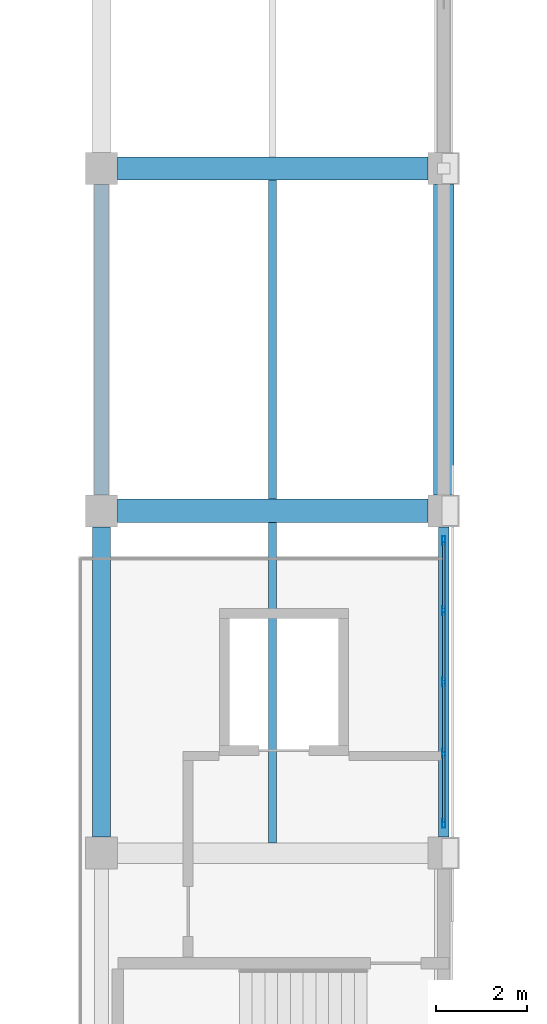
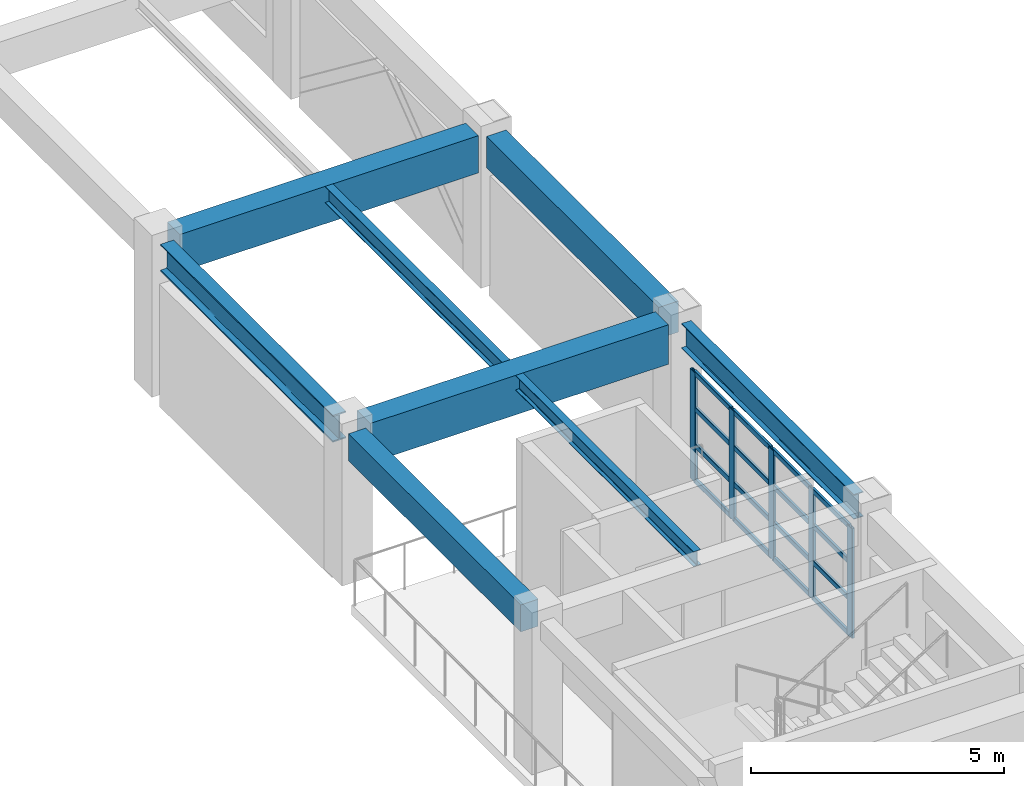
# One storey, part 35 of 82: 21 members, 8 beams, 1 element without a shape of its own.
"""IFC4 building model written with IfcOpenShell, lengths in metres."""

from ifc_helpers import new_model, si_unit, direction, frame, origin, origin_2d, place, context, subcontext, project, spatial, rectangle, hollow_rectangle, i_section, extrude, material, material_profile, profile_set, type_object, element, aggregate, save


model = new_model("IFC4")

# Units and contexts
model_context = context("Model", 3, precision=1e-05, world=origin(), true_north=direction((0.0, 1.0)))
body_context = subcontext(model_context, "Body", "Model", "MODEL_VIEW")
ifc_project = project(units=[si_unit("LENGTHUNIT", "METRE"), si_unit("AREAUNIT", "SQUARE_METRE"), si_unit("VOLUMEUNIT", "CUBIC_METRE"), si_unit("PLANEANGLEUNIT", "RADIAN"), si_unit("MASSUNIT", "GRAM", prefix="KILO")], contexts=[model_context])

# Site, building, storey
site_placement = place(None, origin())
site = spatial("IfcSite", under=ifc_project, at=site_placement, CompositionType="ELEMENT")
building_placement = place(site_placement, origin())
building = spatial("IfcBuilding", under=site, at=building_placement, Name="Qasida Concert Hall", CompositionType="ELEMENT")
storey_placement = place(building_placement, frame((0.0, 0.0, 17.10009765625)))
storey = spatial("IfcBuildingStorey", under=building, at=storey_placement, Name="L04", CompositionType="ELEMENT", Elevation=17.10009765625)

# Beams
ifc_material_1 = material(Name="Concrete C40/50", Category="concrete")
ifc_material_profile_1 = material_profile(ifc_material_1, rectangle(XDim=0.39990234375, YDim=0.64990234375, at=origin_2d()), Name="RC 400x650")
ifc_profile_set_1 = profile_set([ifc_material_profile_1], Name="Concrete C40/50")
beam_type_1 = type_object("IfcBeamType", Name="BM-B1", PredefinedType="BEAM", material=ifc_profile_set_1)
beam_1_placement = place(storey_placement, frame((97.5, 52.85009765625, 3.294921875), z_axis=(0.0, 1.0, 0.0), x_axis=(-1.0, 0.0, 0.0)))
element("IfcBeam", 1, at=beam_1_placement, inside=storey, type_object=beam_type_1, Name="L04 girder 1859", PredefinedType="BEAM", context=body_context, shape_type="SweptSolid", body=[
    extrude(rectangle(XDim=0.39990234375, YDim=0.64990234375, at=origin_2d()), origin(), (0.0, 0.0, 1.0), 6.7998046875),
])
ifc_material_2 = material(Name="Steel S355J2", Category="steel")
ifc_material_profile_2 = material_profile(ifc_material_2, i_section(OverallWidth=0.300048828125, OverallDepth=0.64990234375, WebThickness=0.01611328125, FlangeThickness=0.031005859375, FilletRadius=0.027099609375, at=origin_2d()), Name="HEB 650")
ifc_profile_set_2 = profile_set([ifc_material_profile_2], Name="Steel S355J2")
beam_type_2 = type_object("IfcBeamType", Name="BM-B13", PredefinedType="BEAM", material=ifc_profile_set_2)
beam_2_placement = place(storey_placement, frame((97.5, 60.35009765625, 3.294921875), z_axis=(0.0, 1.0, 0.0), x_axis=(-1.0, 0.0, 0.0)))
element("IfcBeam", 2, at=beam_2_placement, inside=storey, type_object=beam_type_2, Name="L04 girder 1860", PredefinedType="BEAM", context=body_context, shape_type="SweptSolid", body=[
    extrude(i_section(OverallWidth=0.300048828125, OverallDepth=0.64990234375, WebThickness=0.01611328125, FlangeThickness=0.031005859375, FilletRadius=0.027099609375, at=origin_2d()), origin(), (0.0, 0.0, 1.0), 6.7998046875),
])
ifc_material_profile_3 = material_profile(ifc_material_1, rectangle(XDim=0.5, YDim=0.89990234375, at=origin_2d()), Name="RC 500x900")
ifc_profile_set_3 = profile_set([ifc_material_profile_3], Name="Concrete C40/50")
beam_type_3 = type_object("IfcBeamType", Name="BM-G1", PredefinedType="USERDEFINED", material=ifc_profile_set_3)
beam_3_placement = place(storey_placement, frame((97.85009765625, 67.5, 3.169921875), z_axis=(1.0, 0.0, 0.0), x_axis=(0.0, 1.0, 0.0)))
element("IfcBeam", 3, at=beam_3_placement, inside=storey, type_object=beam_type_3, Name="Primary girder 1824", ObjectType="GIRDER", PredefinedType="USERDEFINED", context=body_context, shape_type="SweptSolid", body=[
    extrude(rectangle(XDim=0.5, YDim=0.89990234375, at=origin_2d()), origin(), (0.0, 0.0, 1.0), 6.7998046875),
])
ifc_material_profile_4 = material_profile(ifc_material_1, rectangle(XDim=0.52001953125, YDim=0.949951171875, at=origin_2d()), Name="RC 520x950")
ifc_profile_set_4 = profile_set([ifc_material_profile_4], Name="Concrete C40/50")
beam_type_4 = type_object("IfcBeamType", Name="BM-G7", PredefinedType="USERDEFINED", material=ifc_profile_set_4)
beam_4_placement = place(storey_placement, frame((97.85009765625, 60.0, 3.14501953125), z_axis=(1.0, 0.0, 0.0), x_axis=(0.0, 1.0, 0.0)))
element("IfcBeam", 4, at=beam_4_placement, inside=storey, type_object=beam_type_4, Name="Primary girder 1822", ObjectType="GIRDER", PredefinedType="USERDEFINED", context=body_context, shape_type="SweptSolid", body=[
    extrude(rectangle(XDim=0.52001953125, YDim=0.949951171875, at=origin_2d()), origin(), (0.0, 0.0, 1.0), 6.7998046875),
])
ifc_material_profile_5 = material_profile(ifc_material_2, i_section(OverallWidth=0.169921875, OverallDepth=0.360107421875, WebThickness=0.008056640625, FlangeThickness=0.0126953125, FilletRadius=0.01806640625, at=origin_2d()), Name="IPE 360")
ifc_profile_set_5 = profile_set([ifc_material_profile_5], Name="Steel S355J2")
beam_type_5 = type_object("IfcBeamType", Name="BM-J2", PredefinedType="JOIST", material=ifc_profile_set_5)
beam_5_placement = place(storey_placement, frame((101.25, 52.72509765625, 3.43994140625), z_axis=(0.0, 1.0, 0.0), x_axis=(-1.0, 0.0, 0.0)))
element("IfcBeam", 5, at=beam_5_placement, inside=storey, type_object=beam_type_5, Name="L04 secondary joist 1889", PredefinedType="JOIST", context=body_context, shape_type="SweptSolid", body=[
    extrude(i_section(OverallWidth=0.169921875, OverallDepth=0.360107421875, WebThickness=0.008056640625, FlangeThickness=0.0126953125, FilletRadius=0.01806640625, at=origin_2d()), origin(), (0.0, 0.0, 1.0), 7.014892578125),
])
ifc_material_profile_6 = material_profile(ifc_material_2, i_section(OverallWidth=0.179931640625, OverallDepth=0.39990234375, WebThickness=0.008544921875, FlangeThickness=0.013427734375, FilletRadius=0.02099609375, at=origin_2d()), Name="IPE 400")
ifc_profile_set_6 = profile_set([ifc_material_profile_6], Name="Steel S355J2")
beam_type_6 = type_object("IfcBeamType", Name="BM-J3", PredefinedType="JOIST", material=ifc_profile_set_6)
beam_6_placement = place(storey_placement, frame((101.25, 60.260009765625, 3.419921875), z_axis=(0.0, 1.0, 0.0), x_axis=(-1.0, 0.0, 0.0)))
element("IfcBeam", 6, at=beam_6_placement, inside=storey, type_object=beam_type_6, Name="L04 secondary joist 1890", PredefinedType="JOIST", context=body_context, shape_type="SweptSolid", body=[
    extrude(i_section(OverallWidth=0.179931640625, OverallDepth=0.39990234375, WebThickness=0.008544921875, FlangeThickness=0.013427734375, FilletRadius=0.02099609375, at=origin_2d()), origin(), (0.0, 0.0, 1.0), 6.989990234375),
])
ifc_material_profile_7 = material_profile(ifc_material_2, i_section(OverallWidth=0.219970703125, OverallDepth=0.60009765625, WebThickness=0.011962890625, FlangeThickness=0.01904296875, FilletRadius=0.02392578125, at=origin_2d()), Name="IPE 600")
ifc_profile_set_7 = profile_set([ifc_material_profile_7], Name="Steel S355J2")
beam_type_7 = type_object("IfcBeamType", Name="BM-SP3", PredefinedType="SPANDREL", material=ifc_profile_set_7)
beam_7_placement = place(storey_placement, frame((105.0, 52.85009765625, 3.31982421875), z_axis=(0.0, 1.0, 0.0), x_axis=(-1.0, 0.0, 0.0)))
element("IfcBeam", 7, at=beam_7_placement, inside=storey, type_object=beam_type_7, Name="L04 girder 1865", PredefinedType="SPANDREL", context=body_context, shape_type="SweptSolid", body=[
    extrude(i_section(OverallWidth=0.219970703125, OverallDepth=0.60009765625, WebThickness=0.011962890625, FlangeThickness=0.01904296875, FilletRadius=0.02392578125, at=origin_2d()), origin(), (0.0, 0.0, 1.0), 6.7998046875),
])
ifc_material_profile_8 = material_profile(ifc_material_1, rectangle(XDim=0.449951171875, YDim=0.75, at=origin_2d()), Name="RC 450x750")
ifc_profile_set_8 = profile_set([ifc_material_profile_8], Name="Concrete C40/50")
beam_type_8 = type_object("IfcBeamType", Name="BM-SP4", PredefinedType="SPANDREL", material=ifc_profile_set_8)
beam_8_placement = place(storey_placement, frame((105.0, 60.35009765625, 3.244873046875), z_axis=(0.0, 1.0, 0.0), x_axis=(-1.0, 0.0, 0.0)))
element("IfcBeam", 8, at=beam_8_placement, inside=storey, type_object=beam_type_8, Name="L04 girder 1866", PredefinedType="SPANDREL", context=body_context, shape_type="SweptSolid", body=[
    extrude(rectangle(XDim=0.449951171875, YDim=0.75, at=origin_2d()), origin(), (0.0, 0.0, 1.0), 6.7998046875),
])

# Curtain wall, members
ifc_material_3 = material(Name="Architectural bronze-anodized aluminium and low-E glass", Category="aluminium")
curtain_wall_type = type_object("IfcCurtainWallType", Name="CW-11", PredefinedType="NOTDEFINED", material=ifc_material_3)
curtain_wall_placement = place(storey_placement, origin())
curtain_wall = element("IfcCurtainWall", 9, at=curtain_wall_placement, inside=storey, type_object=curtain_wall_type, Name="L04 curtain wall CW-11 0061", PredefinedType="NOTDEFINED")
ifc_material_4 = material(Name="Architectural bronze-anodized aluminium EN AW-6063", Category="aluminium")
ifc_material_profile_9 = material_profile(ifc_material_4, hollow_rectangle(XDim=0.06494140625, YDim=0.199951171875, WallThickness=0.0048828125, InnerFilletRadius=0.0048828125, OuterFilletRadius=0.010009765625, at=origin_2d()), Name="CWM 200x65x5")
ifc_profile_set_9 = profile_set([ifc_material_profile_9], Name="Architectural bronze-anodized aluminium EN AW-6063")
member_type_1 = type_object("IfcMemberType", Name="MB-CWM-2", PredefinedType="MULLION", material=ifc_profile_set_9)
member_1_placement = place(storey_placement, frame((105.0, 53.152587890625, 0.0), z_axis=(0.0, 0.0, 1.0), x_axis=(-1.0, 0.0, 0.0)))
member_1 = element("IfcMember", 10, at=member_1_placement, type_object=member_type_1, Name="CW-11 mullion 1", PredefinedType="MULLION", context=body_context, shape_type="SweptSolid", body=[
    extrude(hollow_rectangle(XDim=0.06494140625, YDim=0.199951171875, WallThickness=0.0048828125, InnerFilletRadius=0.0048828125, OuterFilletRadius=0.010009765625, at=origin_2d()), origin(), (0.0, 0.0, 1.0), 2.639892578125),
])
member_2_placement = place(storey_placement, frame((105.0, 54.68505859375, 0.0), z_axis=(0.0, 0.0, 1.0), x_axis=(-1.0, 0.0, 0.0)))
member_2 = element("IfcMember", 11, at=member_2_placement, type_object=member_type_1, Name="CW-11 mullion 2", PredefinedType="MULLION", context=body_context, shape_type="SweptSolid", body=[
    extrude(hollow_rectangle(XDim=0.06494140625, YDim=0.199951171875, WallThickness=0.0048828125, InnerFilletRadius=0.0048828125, OuterFilletRadius=0.010009765625, at=origin_2d()), origin(), (0.0, 0.0, 1.0), 2.639892578125),
])
member_3_placement = place(storey_placement, frame((105.0, 56.25, 0.0), z_axis=(0.0, 0.0, 1.0), x_axis=(-1.0, 0.0, 0.0)))
member_3 = element("IfcMember", 12, at=member_3_placement, type_object=member_type_1, Name="CW-11 mullion 3", PredefinedType="MULLION", context=body_context, shape_type="SweptSolid", body=[
    extrude(hollow_rectangle(XDim=0.06494140625, YDim=0.199951171875, WallThickness=0.0048828125, InnerFilletRadius=0.0048828125, OuterFilletRadius=0.010009765625, at=origin_2d()), origin(), (0.0, 0.0, 1.0), 2.639892578125),
])
member_4_placement = place(storey_placement, frame((105.0, 57.81494140625, 0.0), z_axis=(0.0, 0.0, 1.0), x_axis=(-1.0, 0.0, 0.0)))
member_4 = element("IfcMember", 13, at=member_4_placement, type_object=member_type_1, Name="CW-11 mullion 4", PredefinedType="MULLION", context=body_context, shape_type="SweptSolid", body=[
    extrude(hollow_rectangle(XDim=0.06494140625, YDim=0.199951171875, WallThickness=0.0048828125, InnerFilletRadius=0.0048828125, OuterFilletRadius=0.010009765625, at=origin_2d()), origin(), (0.0, 0.0, 1.0), 2.639892578125),
])
member_5_placement = place(storey_placement, frame((105.0, 59.347412109375, 0.0), z_axis=(0.0, 0.0, 1.0), x_axis=(-1.0, 0.0, 0.0)))
member_5 = element("IfcMember", 14, at=member_5_placement, type_object=member_type_1, Name="CW-11 mullion 5", PredefinedType="MULLION", context=body_context, shape_type="SweptSolid", body=[
    extrude(hollow_rectangle(XDim=0.06494140625, YDim=0.199951171875, WallThickness=0.0048828125, InnerFilletRadius=0.0048828125, OuterFilletRadius=0.010009765625, at=origin_2d()), origin(), (0.0, 0.0, 1.0), 2.639892578125),
])
ifc_material_profile_10 = material_profile(ifc_material_4, hollow_rectangle(XDim=0.06005859375, YDim=0.1201171875, WallThickness=0.00390625, InnerFilletRadius=0.00390625, OuterFilletRadius=0.008056640625, at=origin_2d()), Name="CWT 120x60x4")
ifc_profile_set_10 = profile_set([ifc_material_profile_10], Name="Architectural bronze-anodized aluminium EN AW-6063")
member_type_2 = type_object("IfcMemberType", Name="MB-CWT-2", PredefinedType="USERDEFINED", material=ifc_profile_set_10)
member_6_placement = place(storey_placement, frame((105.0, 53.18505859375, 0.02978515625), z_axis=(0.0, 1.0, 0.0), x_axis=(-1.0, 0.0, 0.0)))
member_6 = element("IfcMember", 15, at=member_6_placement, type_object=member_type_2, Name="CW-11 transom 1.1", ObjectType="TRANSOM", PredefinedType="USERDEFINED", context=body_context, shape_type="SweptSolid", body=[
    extrude(hollow_rectangle(XDim=0.06005859375, YDim=0.1201171875, WallThickness=0.00390625, InnerFilletRadius=0.00390625, OuterFilletRadius=0.008056640625, at=origin_2d()), origin(), (0.0, 0.0, 1.0), 1.467529296875),
])
member_7_placement = place(storey_placement, frame((105.0, 53.18505859375, 0.8798828125), z_axis=(0.0, 1.0, 0.0), x_axis=(-1.0, 0.0, 0.0)))
member_7 = element("IfcMember", 16, at=member_7_placement, type_object=member_type_2, Name="CW-11 transom 1.2", ObjectType="TRANSOM", PredefinedType="USERDEFINED", context=body_context, shape_type="SweptSolid", body=[
    extrude(hollow_rectangle(XDim=0.06005859375, YDim=0.1201171875, WallThickness=0.00390625, InnerFilletRadius=0.00390625, OuterFilletRadius=0.008056640625, at=origin_2d()), origin(), (0.0, 0.0, 1.0), 1.467529296875),
])
member_8_placement = place(storey_placement, frame((105.0, 53.18505859375, 1.760009765625), z_axis=(0.0, 1.0, 0.0), x_axis=(-1.0, 0.0, 0.0)))
member_8 = element("IfcMember", 17, at=member_8_placement, type_object=member_type_2, Name="CW-11 transom 1.3", ObjectType="TRANSOM", PredefinedType="USERDEFINED", context=body_context, shape_type="SweptSolid", body=[
    extrude(hollow_rectangle(XDim=0.06005859375, YDim=0.1201171875, WallThickness=0.00390625, InnerFilletRadius=0.00390625, OuterFilletRadius=0.008056640625, at=origin_2d()), origin(), (0.0, 0.0, 1.0), 1.467529296875),
])
member_9_placement = place(storey_placement, frame((105.0, 53.18505859375, 2.60986328125), z_axis=(0.0, 1.0, 0.0), x_axis=(-1.0, 0.0, 0.0)))
member_9 = element("IfcMember", 18, at=member_9_placement, type_object=member_type_2, Name="CW-11 transom 1.4", ObjectType="TRANSOM", PredefinedType="USERDEFINED", context=body_context, shape_type="SweptSolid", body=[
    extrude(hollow_rectangle(XDim=0.06005859375, YDim=0.1201171875, WallThickness=0.00390625, InnerFilletRadius=0.00390625, OuterFilletRadius=0.008056640625, at=origin_2d()), origin(), (0.0, 0.0, 1.0), 1.467529296875),
])
member_10_placement = place(storey_placement, frame((105.0, 54.717529296875, 0.02978515625), z_axis=(0.0, 1.0, 0.0), x_axis=(-1.0, 0.0, 0.0)))
member_10 = element("IfcMember", 19, at=member_10_placement, type_object=member_type_2, Name="CW-11 transom 2.1", ObjectType="TRANSOM", PredefinedType="USERDEFINED", context=body_context, shape_type="SweptSolid", body=[
    extrude(hollow_rectangle(XDim=0.06005859375, YDim=0.1201171875, WallThickness=0.00390625, InnerFilletRadius=0.00390625, OuterFilletRadius=0.008056640625, at=origin_2d()), origin(), (0.0, 0.0, 1.0), 1.5),
])
member_11_placement = place(storey_placement, frame((105.0, 54.717529296875, 0.8798828125), z_axis=(0.0, 1.0, 0.0), x_axis=(-1.0, 0.0, 0.0)))
member_11 = element("IfcMember", 20, at=member_11_placement, type_object=member_type_2, Name="CW-11 transom 2.2", ObjectType="TRANSOM", PredefinedType="USERDEFINED", context=body_context, shape_type="SweptSolid", body=[
    extrude(hollow_rectangle(XDim=0.06005859375, YDim=0.1201171875, WallThickness=0.00390625, InnerFilletRadius=0.00390625, OuterFilletRadius=0.008056640625, at=origin_2d()), origin(), (0.0, 0.0, 1.0), 1.5),
])
member_12_placement = place(storey_placement, frame((105.0, 54.717529296875, 1.760009765625), z_axis=(0.0, 1.0, 0.0), x_axis=(-1.0, 0.0, 0.0)))
member_12 = element("IfcMember", 21, at=member_12_placement, type_object=member_type_2, Name="CW-11 transom 2.3", ObjectType="TRANSOM", PredefinedType="USERDEFINED", context=body_context, shape_type="SweptSolid", body=[
    extrude(hollow_rectangle(XDim=0.06005859375, YDim=0.1201171875, WallThickness=0.00390625, InnerFilletRadius=0.00390625, OuterFilletRadius=0.008056640625, at=origin_2d()), origin(), (0.0, 0.0, 1.0), 1.5),
])
member_13_placement = place(storey_placement, frame((105.0, 54.717529296875, 2.60986328125), z_axis=(0.0, 1.0, 0.0), x_axis=(-1.0, 0.0, 0.0)))
member_13 = element("IfcMember", 22, at=member_13_placement, type_object=member_type_2, Name="CW-11 transom 2.4", ObjectType="TRANSOM", PredefinedType="USERDEFINED", context=body_context, shape_type="SweptSolid", body=[
    extrude(hollow_rectangle(XDim=0.06005859375, YDim=0.1201171875, WallThickness=0.00390625, InnerFilletRadius=0.00390625, OuterFilletRadius=0.008056640625, at=origin_2d()), origin(), (0.0, 0.0, 1.0), 1.5),
])
member_14_placement = place(storey_placement, frame((105.0, 56.282470703125, 0.02978515625), z_axis=(0.0, 1.0, 0.0), x_axis=(-1.0, 0.0, 0.0)))
member_14 = element("IfcMember", 23, at=member_14_placement, type_object=member_type_2, Name="CW-11 transom 3.1", ObjectType="TRANSOM", PredefinedType="USERDEFINED", context=body_context, shape_type="SweptSolid", body=[
    extrude(hollow_rectangle(XDim=0.06005859375, YDim=0.1201171875, WallThickness=0.00390625, InnerFilletRadius=0.00390625, OuterFilletRadius=0.008056640625, at=origin_2d()), origin(), (0.0, 0.0, 1.0), 1.5),
])
member_15_placement = place(storey_placement, frame((105.0, 56.282470703125, 0.8798828125), z_axis=(0.0, 1.0, 0.0), x_axis=(-1.0, 0.0, 0.0)))
member_15 = element("IfcMember", 24, at=member_15_placement, type_object=member_type_2, Name="CW-11 transom 3.2", ObjectType="TRANSOM", PredefinedType="USERDEFINED", context=body_context, shape_type="SweptSolid", body=[
    extrude(hollow_rectangle(XDim=0.06005859375, YDim=0.1201171875, WallThickness=0.00390625, InnerFilletRadius=0.00390625, OuterFilletRadius=0.008056640625, at=origin_2d()), origin(), (0.0, 0.0, 1.0), 1.5),
])
member_16_placement = place(storey_placement, frame((105.0, 56.282470703125, 1.760009765625), z_axis=(0.0, 1.0, 0.0), x_axis=(-1.0, 0.0, 0.0)))
member_16 = element("IfcMember", 25, at=member_16_placement, type_object=member_type_2, Name="CW-11 transom 3.3", ObjectType="TRANSOM", PredefinedType="USERDEFINED", context=body_context, shape_type="SweptSolid", body=[
    extrude(hollow_rectangle(XDim=0.06005859375, YDim=0.1201171875, WallThickness=0.00390625, InnerFilletRadius=0.00390625, OuterFilletRadius=0.008056640625, at=origin_2d()), origin(), (0.0, 0.0, 1.0), 1.5),
])
member_17_placement = place(storey_placement, frame((105.0, 56.282470703125, 2.60986328125), z_axis=(0.0, 1.0, 0.0), x_axis=(-1.0, 0.0, 0.0)))
member_17 = element("IfcMember", 26, at=member_17_placement, type_object=member_type_2, Name="CW-11 transom 3.4", ObjectType="TRANSOM", PredefinedType="USERDEFINED", context=body_context, shape_type="SweptSolid", body=[
    extrude(hollow_rectangle(XDim=0.06005859375, YDim=0.1201171875, WallThickness=0.00390625, InnerFilletRadius=0.00390625, OuterFilletRadius=0.008056640625, at=origin_2d()), origin(), (0.0, 0.0, 1.0), 1.5),
])
member_18_placement = place(storey_placement, frame((105.0, 57.847412109375, 0.02978515625), z_axis=(0.0, 1.0, 0.0), x_axis=(-1.0, 0.0, 0.0)))
member_18 = element("IfcMember", 27, at=member_18_placement, type_object=member_type_2, Name="CW-11 transom 4.1", ObjectType="TRANSOM", PredefinedType="USERDEFINED", context=body_context, shape_type="SweptSolid", body=[
    extrude(hollow_rectangle(XDim=0.06005859375, YDim=0.1201171875, WallThickness=0.00390625, InnerFilletRadius=0.00390625, OuterFilletRadius=0.008056640625, at=origin_2d()), origin(), (0.0, 0.0, 1.0), 1.467529296875),
])
member_19_placement = place(storey_placement, frame((105.0, 57.847412109375, 0.8798828125), z_axis=(0.0, 1.0, 0.0), x_axis=(-1.0, 0.0, 0.0)))
member_19 = element("IfcMember", 28, at=member_19_placement, type_object=member_type_2, Name="CW-11 transom 4.2", ObjectType="TRANSOM", PredefinedType="USERDEFINED", context=body_context, shape_type="SweptSolid", body=[
    extrude(hollow_rectangle(XDim=0.06005859375, YDim=0.1201171875, WallThickness=0.00390625, InnerFilletRadius=0.00390625, OuterFilletRadius=0.008056640625, at=origin_2d()), origin(), (0.0, 0.0, 1.0), 1.467529296875),
])
member_20_placement = place(storey_placement, frame((105.0, 57.847412109375, 1.760009765625), z_axis=(0.0, 1.0, 0.0), x_axis=(-1.0, 0.0, 0.0)))
member_20 = element("IfcMember", 29, at=member_20_placement, type_object=member_type_2, Name="CW-11 transom 4.3", ObjectType="TRANSOM", PredefinedType="USERDEFINED", context=body_context, shape_type="SweptSolid", body=[
    extrude(hollow_rectangle(XDim=0.06005859375, YDim=0.1201171875, WallThickness=0.00390625, InnerFilletRadius=0.00390625, OuterFilletRadius=0.008056640625, at=origin_2d()), origin(), (0.0, 0.0, 1.0), 1.467529296875),
])
member_21_placement = place(storey_placement, frame((105.0, 57.847412109375, 2.60986328125), z_axis=(0.0, 1.0, 0.0), x_axis=(-1.0, 0.0, 0.0)))
member_21 = element("IfcMember", 30, at=member_21_placement, type_object=member_type_2, Name="CW-11 transom 4.4", ObjectType="TRANSOM", PredefinedType="USERDEFINED", context=body_context, shape_type="SweptSolid", body=[
    extrude(hollow_rectangle(XDim=0.06005859375, YDim=0.1201171875, WallThickness=0.00390625, InnerFilletRadius=0.00390625, OuterFilletRadius=0.008056640625, at=origin_2d()), origin(), (0.0, 0.0, 1.0), 1.467529296875),
])
aggregate(curtain_wall, [member_1, member_2, member_3, member_4, member_5, member_6, member_7, member_8, member_9, member_10, member_11, member_12, member_13, member_14, member_15, member_16, member_17, member_18, member_19, member_20, member_21])

save(model, "model.ifc")
